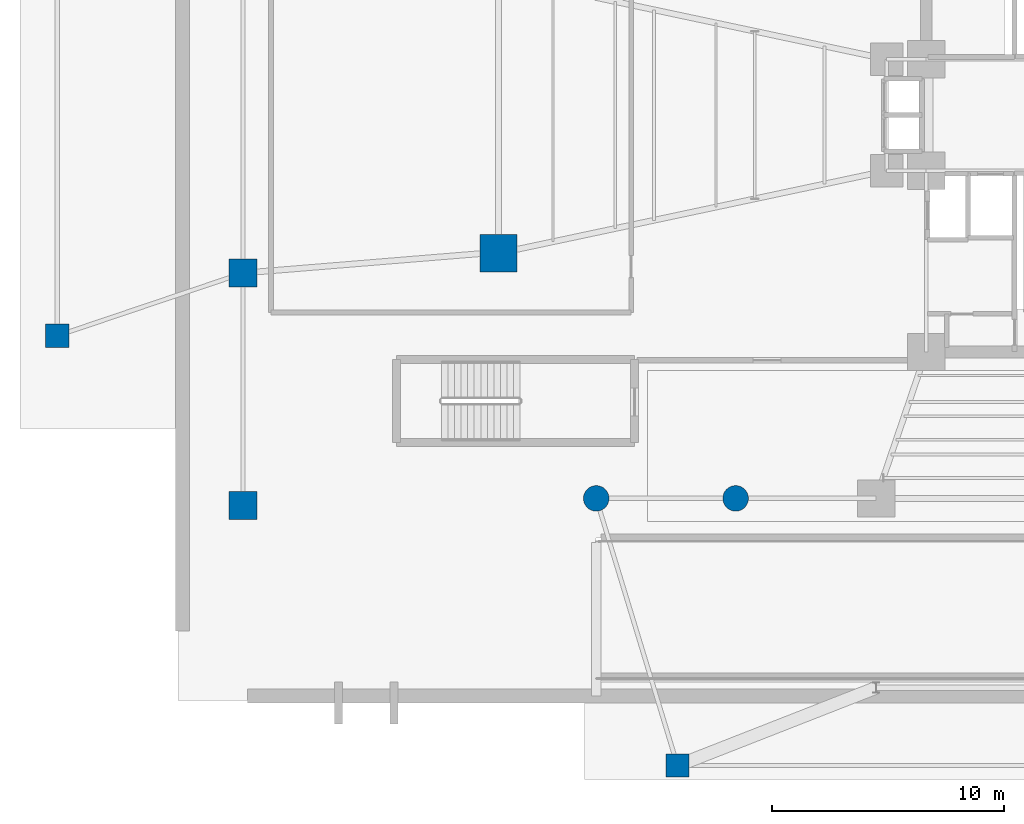
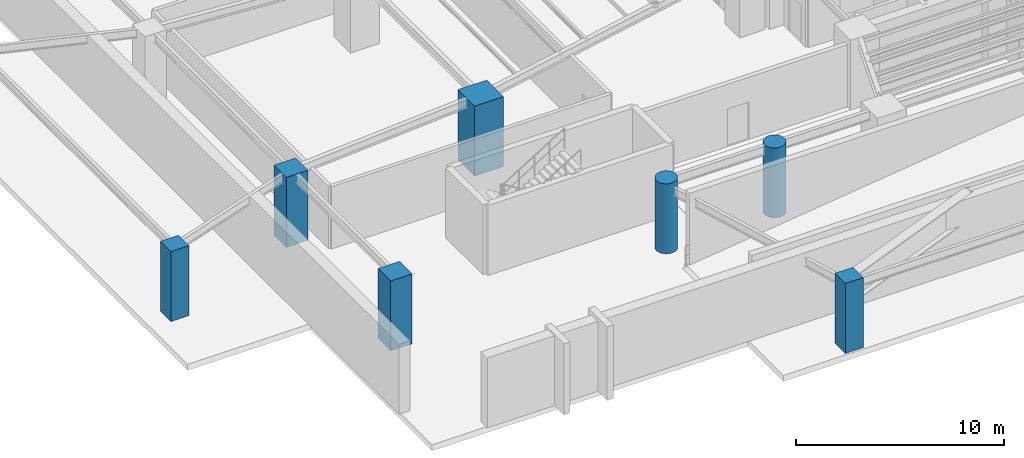
# One storey, part 1 of 14: 7 columns.
"""IFC4 building model written with IfcOpenShell, lengths in metres."""

import ifcopenshell
import ifcopenshell.guid

model = None  # the IFC model being written
_history = None  # IfcOwnerHistory: only IFC2X3 demands one
_inside = {}  # id of a spatial element -> (the spatial element, [elements in it])
_under = {}  # id of a project, library or spatial element -> (it, [spatial elements below it])
_declared = {}  # id of a project -> (the project, [libraries it declares])
_typed = {}  # id of a type object -> (the type object, [elements of that type])
_made_of = {}  # id of a material, layer set ... -> (it, [elements and type objects made of it])


def new_model(schema):
    """Start an empty IFC model of exactly this schema.

    Asked for "IFC4X3", IfcOpenShell would pick the latest addendum, in which some entities
    have other attributes; the version numbers below select the first issue.
    IFC2X3 requires an IfcOwnerHistory on every rooted entity: one is made here for all.
    """
    global model, _history
    if schema == "IFC4X3":
        model = ifcopenshell.file(schema_version=(4, 3, 0, 0))
    else:
        model = ifcopenshell.file(schema=schema)
    _inside.clear()
    _under.clear()
    _declared.clear()
    _typed.clear()
    _made_of.clear()
    _history = None
    if model.schema == "IFC2X3":
        org = make("IfcOrganization", Name="unknown")
        user = make(
            "IfcPersonAndOrganization",
            ThePerson=make("IfcPerson", FamilyName="unknown"),
            TheOrganization=org,
        )
        app = make(
            "IfcApplication",
            ApplicationDeveloper=org,
            Version="unknown",
            ApplicationFullName="unknown",
            ApplicationIdentifier="unknown",
        )
        _history = make(
            "IfcOwnerHistory",
            OwningUser=user,
            OwningApplication=app,
            ChangeAction="ADDED",
            CreationDate=0,
        )
    return model


def make(cls, **values):
    """One entity of the class cls with the attributes given. An attribute that is None is left unset."""
    return model.create_entity(
        cls, **{name: value for name, value in values.items() if value is not None}
    )


def rooted(cls, **values):
    """An entity with a GlobalId (a new one), such as an element, a storey or a relation."""
    return make(cls, GlobalId=ifcopenshell.guid.new(), OwnerHistory=_history, **values)


def si_unit(unit_type, name, prefix=None):
    """IfcSIUnit, for example si_unit("LENGTHUNIT", "METRE", prefix="MILLI")."""
    return make("IfcSIUnit", UnitType=unit_type, Prefix=prefix, Name=name)


def assignment(units):
    """IfcUnitAssignment: the units of a project."""
    return None if units is None else make("IfcUnitAssignment", Units=units)


def point(xyz):
    """IfcCartesianPoint."""
    return None if xyz is None else make("IfcCartesianPoint", Coordinates=xyz)


def direction(xyz):
    """IfcDirection."""
    return None if xyz is None else make("IfcDirection", DirectionRatios=xyz)


def frame(location, z_axis=None, x_axis=None):
    """IfcAxis2Placement3D, a coordinate frame: its origin and axes. An axis left out is left unset."""
    return make(
        "IfcAxis2Placement3D",
        Location=point(location),
        Axis=direction(z_axis),
        RefDirection=direction(x_axis),
    )


def frame_2d(location, x_axis=None):
    """IfcAxis2Placement2D, a coordinate frame in the plane: its origin and x axis."""
    return make(
        "IfcAxis2Placement2D", Location=point(location), RefDirection=direction(x_axis)
    )


def origin():
    """The frame at (0, 0, 0) with its axes left unset."""
    return frame((0.0, 0.0, 0.0))


def origin_2d():
    """The frame at (0, 0) in the plane with its x axis left unset."""
    return frame_2d((0.0, 0.0))


def place(relative_to, where):
    """IfcLocalPlacement: puts the frame where relative to a parent placement (None: the world)."""
    return make(
        "IfcLocalPlacement", PlacementRelTo=relative_to, RelativePlacement=where
    )


def context(
    kind, dimensions, precision=None, world=None, true_north=None, identifier=None
):
    """IfcGeometricRepresentationContext, for example the 3D "Model" context."""
    return make(
        "IfcGeometricRepresentationContext",
        ContextIdentifier=identifier,
        ContextType=kind,
        CoordinateSpaceDimension=dimensions,
        Precision=precision,
        WorldCoordinateSystem=world,
        TrueNorth=true_north,
    )


def subcontext(parent, identifier, kind, view, scale=None):
    """IfcGeometricRepresentationSubContext, for example "Body" below "Model"."""
    return make(
        "IfcGeometricRepresentationSubContext",
        ContextIdentifier=identifier,
        ContextType=kind,
        ParentContext=parent,
        TargetScale=scale,
        TargetView=view,
    )


def project(units=None, contexts=None):
    """IfcProject with its units and contexts."""
    return rooted(
        "IfcProject",
        Name="project",
        RepresentationContexts=contexts,
        UnitsInContext=assignment(units),
    )


def spatial(cls, under=None, at=None, **own):
    """A site, building, storey or space (cls), placed at a placement, below another one or the project."""
    s = rooted(cls, ObjectPlacement=at, **own)
    if under is not None:
        _under.setdefault(under.id(), (under, []))[1].append(s)
    return s


def profile(cls, at=None, kind="AREA", **sizes):
    """A parametric profile (cls). Its sizes go by their IFC names, for example OverallWidth=200.0."""
    return make(cls, ProfileType=kind, Position=at, **sizes)


def rectangle(**sizes):
    """IfcRectangleProfileDef."""
    return profile("IfcRectangleProfileDef", **sizes)


def circle(**sizes):
    """IfcCircleProfileDef."""
    return profile("IfcCircleProfileDef", **sizes)


def extrude(swept, where, along, depth):
    """IfcExtrudedAreaSolid: the profile swept, set in the frame where, extruded along a direction by depth."""
    return make(
        "IfcExtrudedAreaSolid",
        SweptArea=swept,
        Position=where,
        ExtrudedDirection=direction(along),
        Depth=depth,
    )


def shape(context_of_items, identifier, shape_type, items):
    """IfcShapeRepresentation: the items that make up one representation, for example the "Body"."""
    return make(
        "IfcShapeRepresentation",
        ContextOfItems=context_of_items,
        RepresentationIdentifier=identifier,
        RepresentationType=shape_type,
        Items=items,
    )


def source(mapping_origin, context_of_items, identifier, shape_type, items):
    """IfcRepresentationMap: a shape defined once, which mapped items show again and again."""
    return make(
        "IfcRepresentationMap",
        MappingOrigin=mapping_origin,
        MappedRepresentation=shape(context_of_items, identifier, shape_type, items),
    )


def transform(
    local_origin,
    x_axis=None,
    y_axis=None,
    z_axis=None,
    scale=None,
    scale2=None,
    scale3=None,
    uniform=True,
):
    """IfcCartesianTransformationOperator3D, or its non-uniform kind. x_axis, y_axis, z_axis: its Axis1, 2, 3."""
    if uniform:
        return make(
            "IfcCartesianTransformationOperator3D",
            Axis1=direction(x_axis),
            Axis2=direction(y_axis),
            LocalOrigin=point(local_origin),
            Scale=scale,
            Axis3=direction(z_axis),
        )
    return make(
        "IfcCartesianTransformationOperator3DnonUniform",
        Axis1=direction(x_axis),
        Axis2=direction(y_axis),
        LocalOrigin=point(local_origin),
        Scale=scale,
        Axis3=direction(z_axis),
        Scale2=scale2,
        Scale3=scale3,
    )


def mapped(mapping_source, mapping_target):
    """IfcMappedItem: shows the shape of a source again, moved by a transform."""
    return make(
        "IfcMappedItem", MappingSource=mapping_source, MappingTarget=mapping_target
    )


def material(Name=None, Category=None):
    """IfcMaterial."""
    return make("IfcMaterial", Name=Name, Category=Category)


def material_profile(
    of_material, cross_section, Name=None, Category=None, Priority=None
):
    """IfcMaterialProfile: a cross section and its material."""
    return make(
        "IfcMaterialProfile",
        Name=Name,
        Material=of_material,
        Profile=cross_section,
        Priority=Priority,
        Category=Category,
    )


def profile_set(profiles, Name=None, composite=None):
    """IfcMaterialProfileSet."""
    return make(
        "IfcMaterialProfileSet",
        Name=Name,
        MaterialProfiles=profiles,
        CompositeProfile=composite,
    )


def made_of(thing, what):
    """Note that an element or type object is made of a material, layer set ...; save() writes the relation."""
    if what is not None:
        _made_of.setdefault(what.id(), (what, []))[1].append(thing)
    return thing


def type_object(cls, material=None, **own):
    """A type object (cls), such as IfcWallType, which elements share."""
    return made_of(rooted(cls, **own), material)


def element(
    cls,
    number,
    at=None,
    inside=None,
    cuts=None,
    type_object=None,
    material=None,
    context=None,
    identifier="Body",
    shape_type=None,
    held_by="IfcProductDefinitionShape",
    body=None,
    shapes=None,
    **own,
):
    """One element of the class cls, such as IfcWall. Its Tag is "e" and its number.

    at: its placement. inside: the storey or other place that contains it. cuts: it is an
    opening in that element (IfcRelVoidsElement). A single representation is given by context,
    identifier, shape_type and body (its items); several are given by shapes. held_by: the class
    of the entity that holds the representations. save() writes the other relations.
    """
    e = rooted(cls, Tag="e%d" % number, ObjectPlacement=at, **own)
    if body is not None:
        shapes = [shape(context, identifier, shape_type, body)]
    if shapes is not None:
        e.Representation = make(held_by, Representations=shapes)
    if inside is not None:
        _inside.setdefault(inside.id(), (inside, []))[1].append(e)
    if cuts is not None:
        rooted(
            "IfcRelVoidsElement", RelatingBuildingElement=cuts, RelatedOpeningElement=e
        )
    if type_object is not None:
        _typed.setdefault(type_object.id(), (type_object, []))[1].append(e)
    return made_of(e, material)


def aggregate(whole, parts):
    """IfcRelAggregates: a whole, such as a stair, and the parts it consists of."""
    return rooted("IfcRelAggregates", RelatingObject=whole, RelatedObjects=parts)


def save(model, path):
    """Write the relations noted so far, then the file.

    IfcRelAggregates (storeys below a building ...), IfcRelContainedInSpatialStructure (elements
    in a storey), IfcRelDefinesByType, IfcRelAssociatesMaterial and IfcRelDeclares: one each for
    every whole, place, type object, material and project.
    """
    for whole, parts in _under.values():
        aggregate(whole, parts)
    for where, things in _inside.values():
        rooted(
            "IfcRelContainedInSpatialStructure",
            RelatedElements=things,
            RelatingStructure=where,
        )
    for kind, things in _typed.values():
        rooted("IfcRelDefinesByType", RelatedObjects=things, RelatingType=kind)
    for what, things in _made_of.values():
        rooted("IfcRelAssociatesMaterial", RelatedObjects=things, RelatingMaterial=what)
    for by, libraries in _declared.values():
        rooted("IfcRelDeclares", RelatingContext=by, RelatedDefinitions=libraries)
    model.write(path)


model = new_model("IFC4")

# Units and contexts
model_context = context("Model", 3, precision=1e-05, world=origin(), true_north=direction((0.0, 1.0)))
body_context = subcontext(model_context, "Body", "Model", "MODEL_VIEW")
ifc_project = project(units=[si_unit("LENGTHUNIT", "METRE"), si_unit("AREAUNIT", "SQUARE_METRE"), si_unit("VOLUMEUNIT", "CUBIC_METRE"), si_unit("PLANEANGLEUNIT", "RADIAN"), si_unit("MASSUNIT", "GRAM", prefix="KILO")], contexts=[model_context])

# Site, building, storey
site_placement = place(None, origin())
site = spatial("IfcSite", under=ifc_project, at=site_placement, CompositionType="ELEMENT")
building_placement = place(site_placement, origin())
building = spatial("IfcBuilding", under=site, at=building_placement, Name="Sahyath Konkavel Grand Hotel", CompositionType="ELEMENT")
storey_placement = place(building_placement, frame((0.0, 0.0, -4.5)))
storey = spatial("IfcBuildingStorey", under=building, at=storey_placement, Name="B1", CompositionType="ELEMENT", Elevation=-4.5)

# Columns
ifc_material_1 = material(Name="Concrete C70/85", Category="concrete")
ifc_material_profile_1 = material_profile(ifc_material_1, rectangle(XDim=1.60009765625, YDim=1.60009765625, at=origin_2d()), Name="RC 1600x1600")
ifc_profile_set_1 = profile_set([ifc_material_profile_1], Name="Concrete C70/85")
column_type_1 = type_object("IfcColumnType", Name="COL-RC1600", PredefinedType="COLUMN", material=ifc_profile_set_1)
shared_shape_1 = source(origin(), body_context, "Body", "SweptSolid", [
    extrude(rectangle(XDim=1.60009765625, YDim=1.60009765625, at=origin_2d()), origin(), (0.0, 0.0, 1.0), 4.10009765625),
])
column_placement = place(storey_placement, frame((-22.199951171875, -5.949951171875, 0.0), z_axis=(0.0, 0.0, 1.0), x_axis=(1.0, 0.0, 0.0)))
element("IfcColumn", 1, at=column_placement, inside=storey, type_object=column_type_1, Name="B1 Ballroom Mega-Column MC-WB", PredefinedType="COLUMN", context=body_context, shape_type="MappedRepresentation", body=[
    mapped(shared_shape_1, transform((0.0, 0.0, 0.0), scale=1.0)),
])
ifc_material_2 = material(Name="Concrete C50/60", Category="concrete")
ifc_material_profile_2 = material_profile(ifc_material_2, rectangle(XDim=1.199951171875, YDim=1.199951171875, at=origin_2d()), Name="RC 1200x1200")
ifc_profile_set_2 = profile_set([ifc_material_profile_2], Name="Concrete C50/60")
column_type_2 = type_object("IfcColumnType", Name="COL-RC1200", PredefinedType="COLUMN", material=ifc_profile_set_2)
shared_shape_2 = source(origin(), body_context, "Body", "SweptSolid", [
    extrude(rectangle(XDim=1.199951171875, YDim=1.199951171875, at=origin_2d()), origin(), (0.0, 0.0, 1.0), 4.10009765625),
])
for number, where, z_axis, x_axis, name in (
    (2, (-33.199951171875, -16.800048828125, 0.0), (0.0, 0.0, 1.0), (1.0, 0.0, 0.0), "B1 Podium Perimeter Column PC-W1"),
    (3, (-33.199951171875, -6.800048828125, 0.0), (0.0, 0.0, 1.0), (1.0, 0.0, 0.0), "B1 Podium Perimeter Column PC-W2"),
):
    element("IfcColumn", number, at=place(storey_placement, frame(where, z_axis=z_axis, x_axis=x_axis)), inside=storey, type_object=column_type_2, Name=name, PredefinedType="COLUMN", context=body_context, shape_type="MappedRepresentation", body=[
        mapped(shared_shape_2, transform((0.0, 0.0, 0.0), scale=1.0)),
    ])
ifc_material_profile_3 = material_profile(ifc_material_1, circle(Radius=0.550048828125, at=origin_2d()), Name="RC D1100")
ifc_profile_set_3 = profile_set([ifc_material_profile_3], Name="Concrete C70/85")
column_type_3 = type_object("IfcColumnType", Name="COL-RCD1100", PredefinedType="COLUMN", material=ifc_profile_set_3)
shared_shape_3 = source(origin(), body_context, "Body", "SweptSolid", [
    extrude(circle(Radius=0.550048828125, at=origin_2d()), origin(), (0.0, 0.0, 1.0), 4.10009765625),
])
for number, where, z_axis, x_axis, name in (
    (4, (-18.0, -16.5, 0.0), (0.0, 0.0, 1.0), (1.0, 0.0, 0.0), "B1 Sandstone Colonnade Pier CL-S1"),
    (5, (-12.0, -16.5, 0.0), (0.0, 0.0, 1.0), (1.0, 0.0, 0.0), "B1 Sandstone Colonnade Pier CL-S2"),
):
    element("IfcColumn", number, at=place(storey_placement, frame(where, z_axis=z_axis, x_axis=x_axis)), inside=storey, type_object=column_type_3, Name=name, PredefinedType="COLUMN", context=body_context, shape_type="MappedRepresentation", body=[
        mapped(shared_shape_3, transform((0.0, 0.0, 0.0), scale=1.0)),
    ])
ifc_material_profile_4 = material_profile(ifc_material_2, rectangle(XDim=1.0, YDim=1.0, at=origin_2d()), Name="RC 1000x1000")
ifc_profile_set_4 = profile_set([ifc_material_profile_4], Name="Concrete C50/60")
column_type_4 = type_object("IfcColumnType", Name="COL-RC1000", PredefinedType="COLUMN", material=ifc_profile_set_4)
shared_shape_4 = source(origin(), body_context, "Body", "SweptSolid", [
    extrude(rectangle(XDim=1.0, YDim=1.0, at=origin_2d()), origin(), (0.0, 0.0, 1.0), 4.10009765625),
])
for number, where, z_axis, x_axis, name in (
    (6, (-41.199951171875, -9.5, 0.0), (0.0, 0.0, 1.0), (1.0, 0.0, 0.0), "B1 Metro Portal Wing Column PW-W1"),
    (7, (-14.5, -28.0, 0.0), (0.0, 0.0, 1.0), (1.0, 0.0, 0.0), "B1 Metro Portal Wing Column PW-S1"),
):
    element("IfcColumn", number, at=place(storey_placement, frame(where, z_axis=z_axis, x_axis=x_axis)), inside=storey, type_object=column_type_4, Name=name, PredefinedType="COLUMN", context=body_context, shape_type="MappedRepresentation", body=[
        mapped(shared_shape_4, transform((0.0, 0.0, 0.0), scale=1.0)),
    ])

save(model, "model.ifc")
